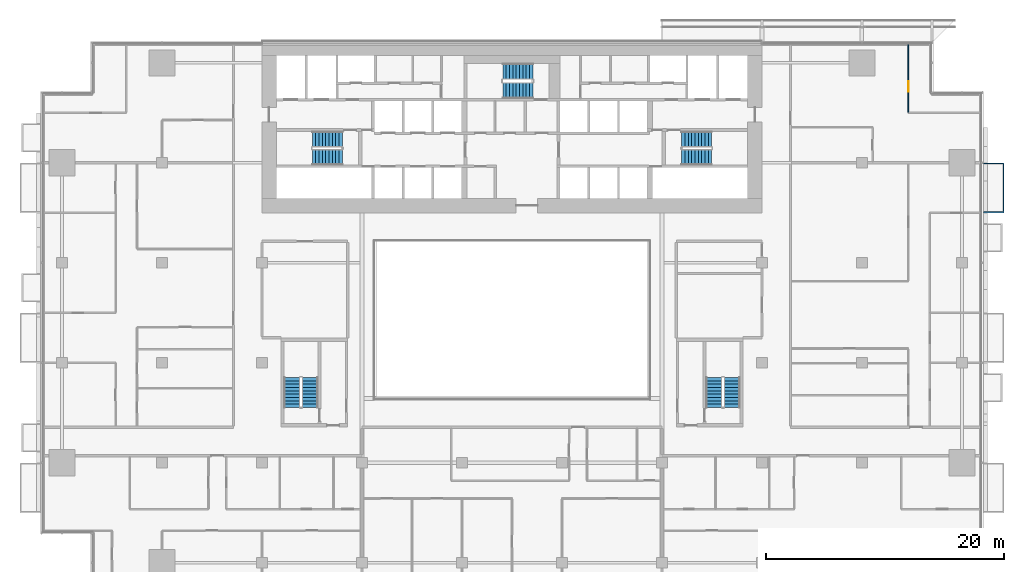
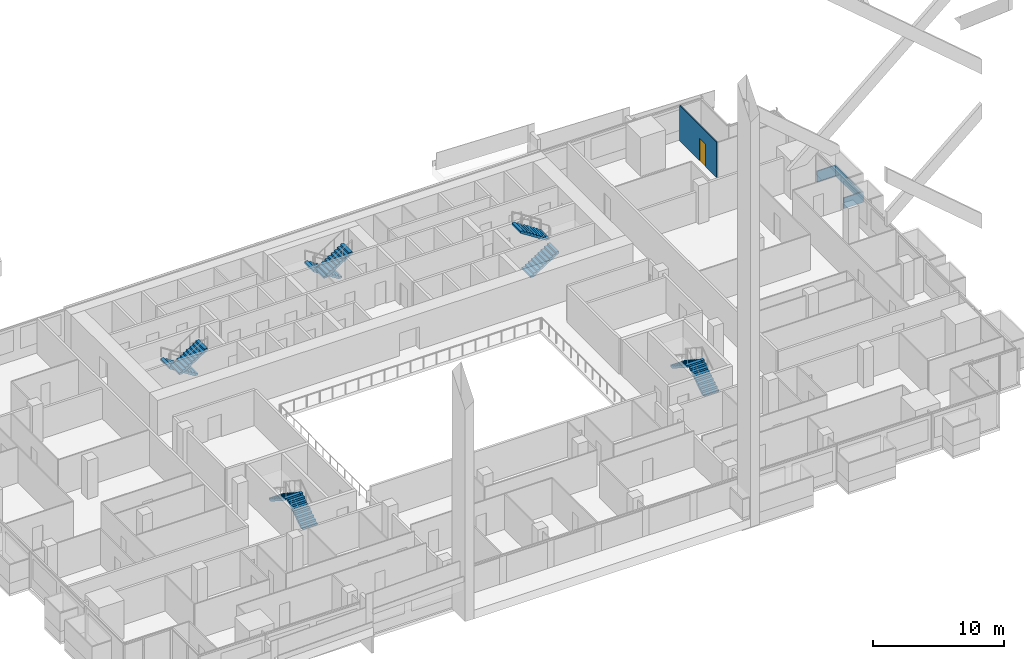
# One storey, part 24 of 30: 10 stair flights, 2 walls, 1 door, 1 opening, 5 elements without a shape of their own.
"""IFC4 building model written with IfcOpenShell, lengths in metres."""

from ifc_helpers import new_model, si_unit, direction, frame, frame_2d, origin, place, context, subcontext, project, spatial, polyline, rectangle, outline, extrude, material, layer, layer_set, type_object, element, fill, aggregate, save


model = new_model("IFC4")

# Units and contexts
model_context = context("Model", 3, precision=1e-05, world=origin(), true_north=direction((0.0, 1.0)))
body_context = subcontext(model_context, "Body", "Model", "MODEL_VIEW")
ifc_project = project(units=[si_unit("LENGTHUNIT", "METRE"), si_unit("AREAUNIT", "SQUARE_METRE"), si_unit("VOLUMEUNIT", "CUBIC_METRE"), si_unit("PLANEANGLEUNIT", "RADIAN"), si_unit("MASSUNIT", "GRAM", prefix="KILO")], contexts=[model_context])

# Site, building, storey
site_placement = place(None, origin())
site = spatial("IfcSite", under=ifc_project, at=site_placement, CompositionType="ELEMENT")
building_placement = place(site_placement, origin())
building = spatial("IfcBuilding", under=site, at=building_placement, Name="Saffron Gate Tower", CompositionType="ELEMENT")
storey_placement = place(building_placement, frame((0.0, 0.0, 37.199951171875)))
storey = spatial("IfcBuildingStorey", under=building, at=storey_placement, Name="L07", CompositionType="ELEMENT", Elevation=37.199951171875)

# Wall, opening, door
ifc_material_1 = material(Name="Plasterboard on steel studs", Category="steel")
ifc_layer_1 = layer(ifc_material_1, 0.10009765625)
ifc_layer_set_1 = layer_set([ifc_layer_1], Name="PW1 Partition 100")
wall_type_1 = type_object("IfcWallType", Name="PW1 Partition 100", PredefinedType="PARTITIONING", material=ifc_layer_set_1)
wall_1_placement = place(storey_placement, frame((120.89990234375, 75.320068359375, 0.0), z_axis=(0.0, 0.0, 1.0), x_axis=(0.0, -1.0, 0.0)))
wall_1 = element("IfcWall", 1, at=wall_1_placement, inside=storey, type_object=wall_type_1, Name="Partition A1-103", PredefinedType="PARTITIONING", context=body_context, shape_type="SweptSolid", body=[
    extrude(rectangle(XDim=5.670166015625, YDim=0.10009765625, at=frame_2d((2.8349609375, 0.0))), origin(), (0.0, 0.0, 1.0), 3.320068359375),
])
opening_placement = place(wall_1_placement, frame((3.0576171875, 0.0, 0.0)))
opening = element("IfcOpeningElement", 2, at=opening_placement, cuts=wall_1, Name="Opening A1-34", PredefinedType="OPENING", context=body_context, shape_type="SweptSolid", body=[
    extrude(rectangle(XDim=0.89990234375, YDim=2.10009765625, at=frame_2d((0.449951171875, 1.050048828125))), frame((0.0, 0.06005859375, 0.0), z_axis=(0.0, -1.0, 0.0), x_axis=(1.0, 0.0, 0.0)), (0.0, 0.0, 1.0), 0.1201171875),
])
ifc_material_2 = material(Name="Timber door set", Category="wood")
door_type = type_object("IfcDoorType", Name="RD1 Room door 900x2100", OperationType="NOTDEFINED", PredefinedType="DOOR", material=ifc_material_2)
door_placement = place(opening_placement, origin())
door = element("IfcDoor", 3, at=door_placement, inside=storey, type_object=door_type, Name="Door A1-34", OperationType="SINGLE_SWING_RIGHT", OverallHeight=2.10009765625, OverallWidth=0.89990234375, PredefinedType="DOOR", context=body_context, shape_type="SweptSolid", body=[
    extrude(rectangle(XDim=0.89990234375, YDim=2.10009765625, at=frame_2d((0.449951171875, 1.050048828125))), frame((0.0, 0.02490234375, 0.0), z_axis=(0.0, -1.0, 0.0), x_axis=(1.0, 0.0, 0.0)), (0.0, 0.0, 1.0), 0.050048828125),
])
fill(opening, door)

# Wall
ifc_material_3 = material(Name="Rendered insulated panel, white")
ifc_layer_2 = layer(ifc_material_3, 0.10009765625)
ifc_layer_set_2 = layer_set([ifc_layer_2], Name="WB3 box parapet white")
wall_type_2 = type_object("IfcWallType", Name="WB3 box parapet white", PredefinedType="SOLIDWALL", material=ifc_layer_set_2)
wall_2_placement = place(storey_placement, origin())
element("IfcWall", 4, at=wall_2_placement, inside=storey, type_object=wall_type_2, Name="WINDOW BOX parapet", PredefinedType="SOLIDWALL", context=body_context, shape_type="SweptSolid", body=[
    extrude(outline(polyline([(127.199951171875, 61.199951171875), (127.199951171875, 61.300048828125), (128.8330078125, 61.300048828125), (128.8330078125, 65.300048828125), (127.199951171875, 65.300048828125), (127.199951171875, 65.39990234375), (128.93310546875, 65.39990234375), (128.93310546875, 61.199951171875), (127.199951171875, 61.199951171875)])), origin(), (0.0, 0.0, 1.0), 1.0),
])

# Stair, stair flights
ifc_material_4 = material(Name="Concrete C40", Category="concrete")
stair_type = type_object("IfcStairType", Name="ST7 Stair 1350 wide, 20 risers of 180", PredefinedType="HALF_TURN_STAIR", material=ifc_material_4)
stair_1_placement = place(storey_placement, origin())
stair_1 = element("IfcStair", 5, at=stair_1_placement, inside=storey, type_object=stair_type, Name="L07 Exit stair A", PredefinedType="HALF_TURN_STAIR")
stair_flight_type = type_object("IfcStairFlightType", Name="SF3 Stair flight 1350 wide, riser 180 going 280", PredefinedType="STRAIGHT", material=ifc_material_4)
stair_flight_1_placement = place(storey_placement, frame((73.35009765625, 67.375, 0.0), z_axis=(0.0, 0.0, 1.0), x_axis=(-1.0, 0.0, 0.0)))
stair_flight_1 = element("IfcStairFlight", 6, at=stair_flight_1_placement, type_object=stair_flight_type, Name="ST-A flight 1", NumberOfRisers=10, NumberOfTreads=9, PredefinedType="STRAIGHT", RiserHeight=0.18, TreadLength=0.28, context=body_context, shape_type="SweptSolid", body=[
    extrude(outline(polyline([(0.0, 0.0), (0.0, 0.179931640625), (0.280029296875, 0.179931640625), (0.280029296875, 0.360107421875), (0.56005859375, 0.360107421875), (0.56005859375, 0.5400390625), (0.840087890625, 0.5400390625), (0.840087890625, 0.719970703125), (1.1201171875, 0.719970703125), (1.1201171875, 0.89990234375), (1.39990234375, 0.89990234375), (1.39990234375, 1.080078125), (1.679931640625, 1.080078125), (1.679931640625, 1.260009765625), (1.9599609375, 1.260009765625), (1.9599609375, 1.43994140625), (2.239990234375, 1.43994140625), (2.239990234375, 1.6201171875), (2.52001953125, 1.6201171875), (2.52001953125, 1.800048828125), (2.52001953125, 1.44189453125), (0.277099609375, 0.0), (0.0, 0.0)])), frame((0.0, 0.675048828125, 0.0), z_axis=(0.0, -1.0, 0.0), x_axis=(1.0, 0.0, 0.0)), (0.0, 0.0, 1.0), 1.35009765625),
])
stair_flight_2_placement = place(storey_placement, frame((70.830078125, 65.875, 1.800048828125), z_axis=(0.0, 0.0, 1.0), x_axis=(1.0, 0.0, 0.0)))
stair_flight_2 = element("IfcStairFlight", 7, at=stair_flight_2_placement, type_object=stair_flight_type, Name="ST-A flight 2", NumberOfRisers=10, NumberOfTreads=9, PredefinedType="STRAIGHT", RiserHeight=0.18, TreadLength=0.28, context=body_context, shape_type="SweptSolid", body=[
    extrude(outline(polyline([(0.0, 0.0), (0.0, 0.179931640625), (0.280029296875, 0.179931640625), (0.280029296875, 0.360107421875), (0.56005859375, 0.360107421875), (0.56005859375, 0.5400390625), (0.840087890625, 0.5400390625), (0.840087890625, 0.719970703125), (1.1201171875, 0.719970703125), (1.1201171875, 0.89990234375), (1.39990234375, 0.89990234375), (1.39990234375, 1.080078125), (1.679931640625, 1.080078125), (1.679931640625, 1.260009765625), (1.9599609375, 1.260009765625), (1.9599609375, 1.43994140625), (2.239990234375, 1.43994140625), (2.239990234375, 1.6201171875), (2.52001953125, 1.6201171875), (2.52001953125, 1.800048828125), (2.52001953125, 1.44189453125), (0.277099609375, 0.0), (0.0, 0.0)])), frame((0.0, 0.675048828125, 0.0), z_axis=(0.0, -1.0, 0.0), x_axis=(1.0, 0.0, 0.0)), (0.0, 0.0, 1.0), 1.35009765625),
])
aggregate(stair_1, [stair_flight_1, stair_flight_2])

stair_2_placement = place(storey_placement, origin())
stair_2 = element("IfcStair", 8, at=stair_2_placement, inside=storey, type_object=stair_type, Name="L07 Exit stair B", PredefinedType="HALF_TURN_STAIR")
stair_flight_3_placement = place(storey_placement, frame((101.85009765625, 65.875, 0.0), z_axis=(0.0, 0.0, 1.0), x_axis=(1.0, 0.0, 0.0)))
stair_flight_3 = element("IfcStairFlight", 9, at=stair_flight_3_placement, type_object=stair_flight_type, Name="ST-B flight 1", NumberOfRisers=10, NumberOfTreads=9, PredefinedType="STRAIGHT", RiserHeight=0.18, TreadLength=0.28, context=body_context, shape_type="SweptSolid", body=[
    extrude(outline(polyline([(0.0, 0.0), (0.0, 0.179931640625), (0.280029296875, 0.179931640625), (0.280029296875, 0.360107421875), (0.56005859375, 0.360107421875), (0.56005859375, 0.5400390625), (0.840087890625, 0.5400390625), (0.840087890625, 0.719970703125), (1.1201171875, 0.719970703125), (1.1201171875, 0.89990234375), (1.39990234375, 0.89990234375), (1.39990234375, 1.080078125), (1.679931640625, 1.080078125), (1.679931640625, 1.260009765625), (1.9599609375, 1.260009765625), (1.9599609375, 1.43994140625), (2.239990234375, 1.43994140625), (2.239990234375, 1.6201171875), (2.52001953125, 1.6201171875), (2.52001953125, 1.800048828125), (2.52001953125, 1.44189453125), (0.277099609375, 0.0), (0.0, 0.0)])), frame((0.0, 0.675048828125, 0.0), z_axis=(0.0, -1.0, 0.0), x_axis=(1.0, 0.0, 0.0)), (0.0, 0.0, 1.0), 1.35009765625),
])
stair_flight_4_placement = place(storey_placement, frame((104.3701171875, 67.375, 1.800048828125), z_axis=(0.0, 0.0, 1.0), x_axis=(-1.0, 0.0, 0.0)))
stair_flight_4 = element("IfcStairFlight", 10, at=stair_flight_4_placement, type_object=stair_flight_type, Name="ST-B flight 2", NumberOfRisers=10, NumberOfTreads=9, PredefinedType="STRAIGHT", RiserHeight=0.18, TreadLength=0.28, context=body_context, shape_type="SweptSolid", body=[
    extrude(outline(polyline([(0.0, 0.0), (0.0, 0.179931640625), (0.280029296875, 0.179931640625), (0.280029296875, 0.360107421875), (0.56005859375, 0.360107421875), (0.56005859375, 0.5400390625), (0.840087890625, 0.5400390625), (0.840087890625, 0.719970703125), (1.1201171875, 0.719970703125), (1.1201171875, 0.89990234375), (1.39990234375, 0.89990234375), (1.39990234375, 1.080078125), (1.679931640625, 1.080078125), (1.679931640625, 1.260009765625), (1.9599609375, 1.260009765625), (1.9599609375, 1.43994140625), (2.239990234375, 1.43994140625), (2.239990234375, 1.6201171875), (2.52001953125, 1.6201171875), (2.52001953125, 1.800048828125), (2.52001953125, 1.44189453125), (0.277099609375, 0.0), (0.0, 0.0)])), frame((0.0, 0.675048828125, 0.0), z_axis=(0.0, -1.0, 0.0), x_axis=(1.0, 0.0, 0.0)), (0.0, 0.0, 1.0), 1.35009765625),
])
aggregate(stair_2, [stair_flight_3, stair_flight_4])

stair_3_placement = place(storey_placement, origin())
stair_3 = element("IfcStair", 11, at=stair_3_placement, inside=storey, type_object=stair_type, Name="L07 Exit stair C", PredefinedType="HALF_TURN_STAIR")
stair_flight_5_placement = place(storey_placement, frame((89.35009765625, 73.074951171875, 0.0), z_axis=(0.0, 0.0, 1.0), x_axis=(-1.0, 0.0, 0.0)))
stair_flight_5 = element("IfcStairFlight", 12, at=stair_flight_5_placement, type_object=stair_flight_type, Name="ST-C flight 1", NumberOfRisers=10, NumberOfTreads=9, PredefinedType="STRAIGHT", RiserHeight=0.18, TreadLength=0.28, context=body_context, shape_type="SweptSolid", body=[
    extrude(outline(polyline([(0.0, 0.0), (0.0, 0.179931640625), (0.280029296875, 0.179931640625), (0.280029296875, 0.360107421875), (0.56005859375, 0.360107421875), (0.56005859375, 0.5400390625), (0.840087890625, 0.5400390625), (0.840087890625, 0.719970703125), (1.1201171875, 0.719970703125), (1.1201171875, 0.89990234375), (1.39990234375, 0.89990234375), (1.39990234375, 1.080078125), (1.679931640625, 1.080078125), (1.679931640625, 1.260009765625), (1.9599609375, 1.260009765625), (1.9599609375, 1.43994140625), (2.239990234375, 1.43994140625), (2.239990234375, 1.6201171875), (2.52001953125, 1.6201171875), (2.52001953125, 1.800048828125), (2.52001953125, 1.44189453125), (0.277099609375, 0.0), (0.0, 0.0)])), frame((0.0, 0.675048828125, 0.0), z_axis=(0.0, -1.0, 0.0), x_axis=(1.0, 0.0, 0.0)), (0.0, 0.0, 1.0), 1.35009765625),
])
stair_flight_6_placement = place(storey_placement, frame((86.830078125, 71.47509765625, 1.800048828125), z_axis=(0.0, 0.0, 1.0), x_axis=(1.0, 0.0, 0.0)))
stair_flight_6 = element("IfcStairFlight", 13, at=stair_flight_6_placement, type_object=stair_flight_type, Name="ST-C flight 2", NumberOfRisers=10, NumberOfTreads=9, PredefinedType="STRAIGHT", RiserHeight=0.18, TreadLength=0.28, context=body_context, shape_type="SweptSolid", body=[
    extrude(outline(polyline([(0.0, 0.0), (0.0, 0.179931640625), (0.280029296875, 0.179931640625), (0.280029296875, 0.360107421875), (0.56005859375, 0.360107421875), (0.56005859375, 0.5400390625), (0.840087890625, 0.5400390625), (0.840087890625, 0.719970703125), (1.1201171875, 0.719970703125), (1.1201171875, 0.89990234375), (1.39990234375, 0.89990234375), (1.39990234375, 1.080078125), (1.679931640625, 1.080078125), (1.679931640625, 1.260009765625), (1.9599609375, 1.260009765625), (1.9599609375, 1.43994140625), (2.239990234375, 1.43994140625), (2.239990234375, 1.6201171875), (2.52001953125, 1.6201171875), (2.52001953125, 1.800048828125), (2.52001953125, 1.44189453125), (0.277099609375, 0.0), (0.0, 0.0)])), frame((0.0, 0.675048828125, 0.0), z_axis=(0.0, -1.0, 0.0), x_axis=(1.0, 0.0, 0.0)), (0.0, 0.0, 1.0), 1.35009765625),
])
aggregate(stair_3, [stair_flight_5, stair_flight_6])

stair_4_placement = place(storey_placement, origin())
stair_4 = element("IfcStair", 14, at=stair_4_placement, inside=storey, type_object=stair_type, Name="L07 Exit stair D", PredefinedType="HALF_TURN_STAIR")
stair_flight_7_placement = place(storey_placement, frame((70.625, 44.85009765625, 0.0), z_axis=(0.0, 0.0, 1.0), x_axis=(0.0, 1.0, 0.0)))
stair_flight_7 = element("IfcStairFlight", 15, at=stair_flight_7_placement, type_object=stair_flight_type, Name="ST-D flight 1", NumberOfRisers=10, NumberOfTreads=9, PredefinedType="STRAIGHT", RiserHeight=0.18, TreadLength=0.28, context=body_context, shape_type="SweptSolid", body=[
    extrude(outline(polyline([(0.0, 0.0), (0.0, 0.179931640625), (0.280029296875, 0.179931640625), (0.280029296875, 0.360107421875), (0.56005859375, 0.360107421875), (0.56005859375, 0.5400390625), (0.840087890625, 0.5400390625), (0.840087890625, 0.719970703125), (1.1201171875, 0.719970703125), (1.1201171875, 0.89990234375), (1.39990234375, 0.89990234375), (1.39990234375, 1.080078125), (1.679931640625, 1.080078125), (1.679931640625, 1.260009765625), (1.9599609375, 1.260009765625), (1.9599609375, 1.43994140625), (2.239990234375, 1.43994140625), (2.239990234375, 1.6201171875), (2.52001953125, 1.6201171875), (2.52001953125, 1.800048828125), (2.52001953125, 1.44189453125), (0.277099609375, 0.0), (0.0, 0.0)])), frame((0.0, 0.675048828125, 0.0), z_axis=(0.0, -1.0, 0.0), x_axis=(1.0, 0.0, 0.0)), (0.0, 0.0, 1.0), 1.35009765625),
])
stair_flight_8_placement = place(storey_placement, frame((69.125, 47.3701171875, 1.800048828125), z_axis=(0.0, 0.0, 1.0), x_axis=(0.0, -1.0, 0.0)))
stair_flight_8 = element("IfcStairFlight", 16, at=stair_flight_8_placement, type_object=stair_flight_type, Name="ST-D flight 2", NumberOfRisers=10, NumberOfTreads=9, PredefinedType="STRAIGHT", RiserHeight=0.18, TreadLength=0.28, context=body_context, shape_type="SweptSolid", body=[
    extrude(outline(polyline([(0.0, 0.0), (0.0, 0.179931640625), (0.280029296875, 0.179931640625), (0.280029296875, 0.360107421875), (0.56005859375, 0.360107421875), (0.56005859375, 0.5400390625), (0.840087890625, 0.5400390625), (0.840087890625, 0.719970703125), (1.1201171875, 0.719970703125), (1.1201171875, 0.89990234375), (1.39990234375, 0.89990234375), (1.39990234375, 1.080078125), (1.679931640625, 1.080078125), (1.679931640625, 1.260009765625), (1.9599609375, 1.260009765625), (1.9599609375, 1.43994140625), (2.239990234375, 1.43994140625), (2.239990234375, 1.6201171875), (2.52001953125, 1.6201171875), (2.52001953125, 1.800048828125), (2.52001953125, 1.44189453125), (0.277099609375, 0.0), (0.0, 0.0)])), frame((0.0, 0.675048828125, 0.0), z_axis=(0.0, -1.0, 0.0), x_axis=(1.0, 0.0, 0.0)), (0.0, 0.0, 1.0), 1.35009765625),
])
aggregate(stair_4, [stair_flight_7, stair_flight_8])

stair_5_placement = place(storey_placement, origin())
stair_5 = element("IfcStair", 17, at=stair_5_placement, inside=storey, type_object=stair_type, Name="L07 Exit stair E", PredefinedType="HALF_TURN_STAIR")
stair_flight_9_placement = place(storey_placement, frame((106.074951171875, 44.85009765625, 0.0), z_axis=(0.0, 0.0, 1.0), x_axis=(0.0, 1.0, 0.0)))
stair_flight_9 = element("IfcStairFlight", 18, at=stair_flight_9_placement, type_object=stair_flight_type, Name="ST-E flight 1", NumberOfRisers=10, NumberOfTreads=9, PredefinedType="STRAIGHT", RiserHeight=0.18, TreadLength=0.28, context=body_context, shape_type="SweptSolid", body=[
    extrude(outline(polyline([(0.0, 0.0), (0.0, 0.179931640625), (0.280029296875, 0.179931640625), (0.280029296875, 0.360107421875), (0.56005859375, 0.360107421875), (0.56005859375, 0.5400390625), (0.840087890625, 0.5400390625), (0.840087890625, 0.719970703125), (1.1201171875, 0.719970703125), (1.1201171875, 0.89990234375), (1.39990234375, 0.89990234375), (1.39990234375, 1.080078125), (1.679931640625, 1.080078125), (1.679931640625, 1.260009765625), (1.9599609375, 1.260009765625), (1.9599609375, 1.43994140625), (2.239990234375, 1.43994140625), (2.239990234375, 1.6201171875), (2.52001953125, 1.6201171875), (2.52001953125, 1.800048828125), (2.52001953125, 1.44189453125), (0.277099609375, 0.0), (0.0, 0.0)])), frame((0.0, 0.675048828125, 0.0), z_axis=(0.0, -1.0, 0.0), x_axis=(1.0, 0.0, 0.0)), (0.0, 0.0, 1.0), 1.35009765625),
])
stair_flight_10_placement = place(storey_placement, frame((104.574951171875, 47.3701171875, 1.800048828125), z_axis=(0.0, 0.0, 1.0), x_axis=(0.0, -1.0, 0.0)))
stair_flight_10 = element("IfcStairFlight", 19, at=stair_flight_10_placement, type_object=stair_flight_type, Name="ST-E flight 2", NumberOfRisers=10, NumberOfTreads=9, PredefinedType="STRAIGHT", RiserHeight=0.18, TreadLength=0.28, context=body_context, shape_type="SweptSolid", body=[
    extrude(outline(polyline([(0.0, 0.0), (0.0, 0.179931640625), (0.280029296875, 0.179931640625), (0.280029296875, 0.360107421875), (0.56005859375, 0.360107421875), (0.56005859375, 0.5400390625), (0.840087890625, 0.5400390625), (0.840087890625, 0.719970703125), (1.1201171875, 0.719970703125), (1.1201171875, 0.89990234375), (1.39990234375, 0.89990234375), (1.39990234375, 1.080078125), (1.679931640625, 1.080078125), (1.679931640625, 1.260009765625), (1.9599609375, 1.260009765625), (1.9599609375, 1.43994140625), (2.239990234375, 1.43994140625), (2.239990234375, 1.6201171875), (2.52001953125, 1.6201171875), (2.52001953125, 1.800048828125), (2.52001953125, 1.44189453125), (0.277099609375, 0.0), (0.0, 0.0)])), frame((0.0, 0.675048828125, 0.0), z_axis=(0.0, -1.0, 0.0), x_axis=(1.0, 0.0, 0.0)), (0.0, 0.0, 1.0), 1.35009765625),
])
aggregate(stair_5, [stair_flight_9, stair_flight_10])

save(model, "model.ifc")
